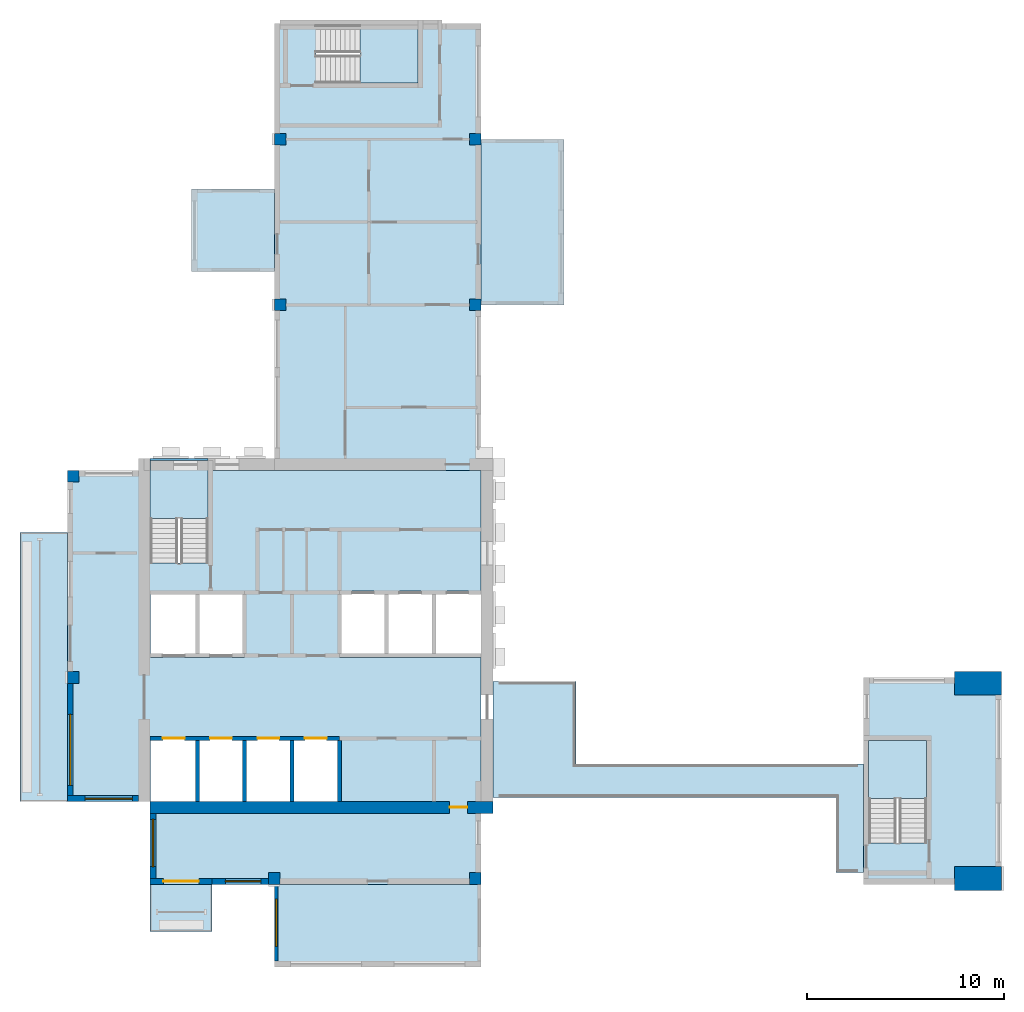
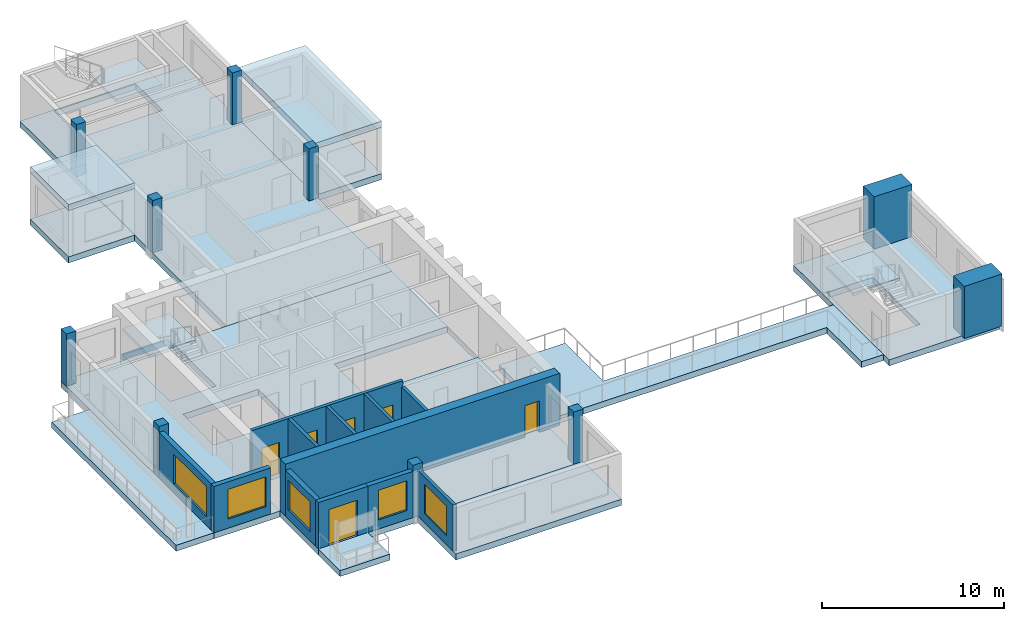
# One storey, part 1 of 9: 15 slabs, 12 walls, 10 columns, 6 doors, 5 windows, 11 openings, 3 elements without a shape of their own.
"""IFC4 building model written with IfcOpenShell, lengths in metres."""

from ifc_helpers import new_model, si_unit, direction, frame, frame_2d, origin, origin_2d, place, context, subcontext, project, spatial, polyline, rectangle, outline, extrude, source, transform, mapped, material, layer, layer_set, material_profile, profile_set, type_object, element, fill, aggregate, save


model = new_model("IFC4")

# Units and contexts
model_context = context("Model", 3, precision=1e-05, world=origin(), true_north=direction((0.0, 1.0)))
body_context = subcontext(model_context, "Body", "Model", "MODEL_VIEW")
ifc_project = project(units=[si_unit("LENGTHUNIT", "METRE"), si_unit("AREAUNIT", "SQUARE_METRE"), si_unit("VOLUMEUNIT", "CUBIC_METRE"), si_unit("PLANEANGLEUNIT", "RADIAN"), si_unit("MASSUNIT", "GRAM", prefix="KILO")], contexts=[model_context])

# Site, building, storey
site_placement = place(None, origin())
site = spatial("IfcSite", under=ifc_project, at=site_placement, CompositionType="ELEMENT")
building_placement = place(site_placement, origin())
building = spatial("IfcBuilding", under=site, at=building_placement, Name="Aurelian Terraces", CompositionType="ELEMENT")
storey_placement = place(building_placement, frame((0.0, 0.0, 333.5)))
storey = spatial("IfcBuildingStorey", under=building, at=storey_placement, Name="L78", CompositionType="ELEMENT", Elevation=333.5)

# Columns
ifc_material_1 = material(Name="Concrete fc' 55 MPa", Category="concrete")
ifc_material_profile_1 = material_profile(ifc_material_1, rectangle(XDim=0.6, YDim=0.6, at=origin_2d()))
ifc_profile_set_1 = profile_set([ifc_material_profile_1], Name="Concrete fc' 55 MPa")
column_type_1 = type_object("IfcColumnType", Name="RC COLUMN 600X600 FC55", PredefinedType="COLUMN", material=ifc_profile_set_1)
shared_shape_1 = source(origin(), body_context, "Body", "SweptSolid", [
    extrude(rectangle(XDim=0.6, YDim=0.6, at=origin_2d()), origin(), (0.0, 0.0, 1.0), 3.5),
])
for number, where, z_axis, x_axis, name in (
    (1, (10.5, 0.3, 0.0), (0.0, 0.0, 1.0), (1.0, 0.0, 0.0), "Column 2/A L78"),
    (2, (20.7, 0.3, 0.0), (0.0, 0.0, 1.0), (1.0, 0.0, 0.0), "Column 3/A L78"),
    (3, (0.3, 10.5, 0.0), (0.0, 0.0, 1.0), (1.0, 0.0, 0.0), "Column 1/B L78"),
    (4, (0.3, 20.7, 0.0), (0.0, 0.0, 1.0), (1.0, 0.0, 0.0), "Column 1/C L78"),
    (5, (10.8, 29.4, 0.0), (0.0, 0.0, 1.0), (1.0, 0.0, 0.0), "Column 2/D L78"),
    (6, (20.7, 29.4, 0.0), (0.0, 0.0, 1.0), (1.0, 0.0, 0.0), "Column 3/D L78"),
    (7, (10.8, 37.8, 0.0), (0.0, 0.0, 1.0), (1.0, 0.0, 0.0), "Column 2/E L78"),
    (8, (20.7, 37.8, 0.0), (0.0, 0.0, 1.0), (1.0, 0.0, 0.0), "Column 3/E L78"),
):
    element("IfcColumn", number, at=place(storey_placement, frame(where, z_axis=z_axis, x_axis=x_axis)), inside=storey, type_object=column_type_1, Name=name, PredefinedType="COLUMN", context=body_context, shape_type="MappedRepresentation", body=[
        mapped(shared_shape_1, transform((0.0, 0.0, 0.0), scale=1.0)),
    ])
ifc_material_profile_2 = material_profile(ifc_material_1, rectangle(XDim=2.4, YDim=1.2, at=origin_2d()))
ifc_profile_set_2 = profile_set([ifc_material_profile_2], Name="Concrete fc' 55 MPa")
column_type_2 = type_object("IfcColumnType", Name="Portal jamb pilaster 2400x1200", PredefinedType="PILASTER", material=ifc_profile_set_2)
shared_shape_2 = source(origin(), body_context, "Body", "SweptSolid", [
    extrude(rectangle(XDim=2.4, YDim=1.2, at=origin_2d()), origin(), (0.0, 0.0, 1.0), 3.5),
])
for number, where, z_axis, x_axis, name in (
    (9, (46.2, 0.3, 0.0), (0.0, 0.0, 1.0), (1.0, 0.0, 0.0), "Column 6/A L78"),
    (10, (46.2, 10.2, 0.0), (0.0, 0.0, 1.0), (1.0, 0.0, 0.0), "Column 6/B L78"),
):
    element("IfcColumn", number, at=place(storey_placement, frame(where, z_axis=z_axis, x_axis=x_axis)), inside=storey, type_object=column_type_2, Name=name, PredefinedType="PILASTER", context=body_context, shape_type="MappedRepresentation", body=[
        mapped(shared_shape_2, transform((0.0, 0.0, 0.0), scale=1.0)),
    ])

# Slabs
ifc_material_2 = material(Name="Concrete fc' 40 MPa", Category="concrete")
ifc_layer_1 = layer(ifc_material_2, 0.41)
ifc_layer_set_1 = layer_set([ifc_layer_1], Name="Box floor 410")
slab_type_1 = type_object("IfcSlabType", Name="Box floor 410", PredefinedType="NOTDEFINED", material=ifc_layer_set_1)
slab_1_placement = place(storey_placement, frame((0.0, 0.0, -0.41)))
element("IfcSlab", 11, at=slab_1_placement, inside=storey, type_object=slab_type_1, Name="Box floor L78 J93", PredefinedType="NOTDEFINED", context=body_context, shape_type="SweptSolid", body=[
    extrude(outline(polyline([(10.5, -4.2), (21.0, -4.2), (21.0, 0.0), (10.5, 0.0), (10.5, -4.2)])), origin(), (0.0, 0.0, 1.0), 0.41),
])
ifc_layer_2 = layer(ifc_material_2, 0.4)
ifc_layer_set_2 = layer_set([ifc_layer_2], Name="Box roof 400")
slab_type_2 = type_object("IfcSlabType", Name="Box roof 400", PredefinedType="ROOF", material=ifc_layer_set_2)
slab_2_placement = place(storey_placement, frame((0.0, 0.0, 3.1)))
element("IfcSlab", 12, at=slab_2_placement, inside=storey, type_object=slab_type_2, Name="Box roof J92", PredefinedType="ROOF", context=body_context, shape_type="SweptSolid", body=[
    extrude(outline(polyline([(6.3, 35.28), (6.3, 31.08), (10.5, 31.08), (10.5, 35.28), (6.3, 35.28)])), origin(), (0.0, 0.0, 1.0), 0.4),
])
ifc_layer_3 = layer(ifc_material_2, 0.4)
ifc_layer_set_3 = layer_set([ifc_layer_3], Name="PT FLAT PLATE 400")
slab_type_3 = type_object("IfcSlabType", Name="PT FLAT PLATE 400", PredefinedType="FLOOR", material=ifc_layer_set_3)
slab_3_placement = place(storey_placement, frame((0.0, 0.0, -0.4)))
element("IfcSlab", 13, at=slab_3_placement, inside=storey, type_object=slab_type_3, Name="Floor slab S L78", PredefinedType="FLOOR", context=body_context, shape_type="SweptSolid", body=[
    extrude(outline(polyline([(0.0, 4.2), (0.0, 10.5), (0.0, 21.0), (4.21, 21.0), (4.21, 16.31), (7.14, 16.31), (7.14, 21.0), (21.0, 21.0), (21.0, 10.5), (21.0, 0.0), (4.2, 0.0), (4.2, 4.2), (0.0, 4.2)]), holes=[polyline([(13.81, 14.89), (13.81, 11.51), (20.99, 11.51), (20.99, 14.89), (13.81, 14.89)]), polyline([(4.21, 7.49), (4.21, 4.21), (13.79, 4.21), (13.79, 7.49), (4.21, 7.49)]), polyline([(8.99, 11.51), (8.99, 14.89), (4.21, 14.89), (4.21, 11.51), (8.99, 11.51)])]), origin(), (0.0, 0.0, 1.0), 0.4),
])
slab_4_placement = place(storey_placement, frame((0.0, 0.0, -0.4)))
element("IfcSlab", 14, at=slab_4_placement, inside=storey, type_object=slab_type_3, Name="Floor slab S2 L78", PredefinedType="FLOOR", context=body_context, shape_type="SweptSolid", body=[
    extrude(outline(polyline([(40.4, 10.5), (47.4, 10.5), (47.4, 0.0), (40.4, 0.0), (40.4, 0.2), (40.4, 7.55), (40.4, 10.5)]), holes=[polyline([(40.66, 2.11), (43.59, 2.11), (43.59, 7.29), (40.66, 7.29), (40.66, 2.11)])]), origin(), (0.0, 0.0, 1.0), 0.4),
])
ifc_layer_4 = layer(ifc_material_2, 0.4001)
ifc_layer_set_4 = layer_set([ifc_layer_4], Name="Terrace slab 400")
slab_type_4 = type_object("IfcSlabType", Name="Terrace slab 400", PredefinedType="NOTDEFINED", material=ifc_layer_set_4)
slab_5_placement = place(storey_placement, frame((0.0, 0.0, -0.4001)))
element("IfcSlab", 15, at=slab_5_placement, inside=storey, type_object=slab_type_4, Name="Sky bridge L78 PORTAL-B78", PredefinedType="NOTDEFINED", context=body_context, shape_type="SweptSolid", body=[
    extrude(outline(polyline([(40.4, 0.6), (39.0, 0.6), (39.0, 4.4), (25.8, 4.4), (21.6, 4.4), (21.6, 6.1), (21.6, 10.3), (25.8, 10.3), (25.8, 6.1), (39.0, 6.1), (40.4, 6.1), (40.4, 4.4), (40.4, 0.6)])), origin(), (0.0, 0.0, 1.0), 0.4001),
])
shared_shape_3 = source(origin(), body_context, "Body", "SweptSolid", [
    extrude(outline(polyline([(10.5, 43.68), (14.7, 43.68), (16.8, 43.68), (21.0, 43.68), (21.0, 21.0), (10.5, 21.0), (10.5, 43.68)]), holes=[polyline([(17.79, 43.59), (12.61, 43.59), (12.61, 40.66), (17.79, 40.66), (17.79, 43.59)])]), origin(), (0.0, 0.0, 1.0), 0.4),
])
slab_6_placement = place(storey_placement, frame((0.0, 0.0, -0.4)))
element("IfcSlab", 16, at=slab_6_placement, inside=storey, type_object=slab_type_3, Name="Floor slab W L78", PredefinedType="FLOOR", context=body_context, shape_type="MappedRepresentation", body=[
    mapped(shared_shape_3, transform((0.0, 0.0, 0.0), scale=1.0)),
])
shared_shape_4 = source(origin(), body_context, "Body", "SweptSolid", [
    extrude(outline(polyline([(4.2, 21.0), (4.2, 21.6), (7.15, 21.6), (7.15, 21.0), (7.14, 21.0), (7.14, 21.49), (4.21, 21.49), (4.21, 21.0), (4.2, 21.0)])), origin(), (0.0, 0.0, 1.0), 0.4),
])
slab_7_placement = place(storey_placement, frame((0.0, 0.0, -0.4)))
element("IfcSlab", 17, at=slab_7_placement, inside=storey, type_object=slab_type_3, Name="Floor slab W2 L78", PredefinedType="FLOOR", context=body_context, shape_type="MappedRepresentation", body=[
    mapped(shared_shape_4, transform((0.0, 0.0, 0.0), scale=1.0)),
])
shared_shape_5 = source(origin(), body_context, "Body", "SweptSolid", [
    extrude(outline(polyline([(25.2, 29.4), (25.2, 37.8), (21.0, 37.8), (21.0, 29.4), (25.2, 29.4)])), origin(), (0.0, 0.0, 1.0), 0.41),
])
slab_8_placement = place(storey_placement, frame((0.0, 0.0, -0.41)))
element("IfcSlab", 18, at=slab_8_placement, inside=storey, type_object=slab_type_1, Name="Box floor L78 J91", PredefinedType="NOTDEFINED", context=body_context, shape_type="MappedRepresentation", body=[
    mapped(shared_shape_5, transform((0.0, 0.0, 0.0), scale=1.0)),
])
shared_shape_6 = source(origin(), body_context, "Body", "SweptSolid", [
    extrude(outline(polyline([(25.2, 29.4), (25.2, 37.8), (21.0, 37.8), (21.0, 29.4), (25.2, 29.4)])), origin(), (0.0, 0.0, 1.0), 0.4),
])
slab_9_placement = place(storey_placement, frame((0.0, 0.0, 3.1)))
element("IfcSlab", 19, at=slab_9_placement, inside=storey, type_object=slab_type_2, Name="Box roof J91", PredefinedType="ROOF", context=body_context, shape_type="MappedRepresentation", body=[
    mapped(shared_shape_6, transform((0.0, 0.0, 0.0), scale=1.0)),
])
ifc_layer_5 = layer(ifc_material_2, 0.4)
ifc_layer_set_5 = layer_set([ifc_layer_5], Name="Balcony slab 400")
slab_type_5 = type_object("IfcSlabType", Name="Balcony slab 400", PredefinedType="NOTDEFINED", material=ifc_layer_set_5)
shared_shape_7 = source(origin(), body_context, "Body", "SweptSolid", [
    extrude(outline(polyline([(0.0, 17.85), (0.0, 4.2), (-2.4, 4.2), (-2.4, 17.85), (0.0, 17.85)])), origin(), (0.0, 0.0, 1.0), 0.4),
])
slab_10_placement = place(storey_placement, frame((0.0, 0.0, -0.4)))
element("IfcSlab", 20, at=slab_10_placement, inside=storey, type_object=slab_type_5, Name="Balcony slab L78 F10.18", PredefinedType="NOTDEFINED", context=body_context, shape_type="MappedRepresentation", body=[
    mapped(shared_shape_7, transform((0.0, 0.0, 0.0), scale=1.0)),
])
shared_shape_8 = source(origin(), body_context, "Body", "SweptSolid", [
    extrude(outline(polyline([(4.2, 0.0), (7.35, 0.0), (7.35, -2.4), (4.2, -2.4), (4.2, 0.0)])), origin(), (0.0, 0.0, 1.0), 0.4),
])
slab_11_placement = place(storey_placement, frame((0.0, 0.0, -0.4)))
element("IfcSlab", 21, at=slab_11_placement, inside=storey, type_object=slab_type_5, Name="Balcony slab L78 F01.1", PredefinedType="NOTDEFINED", context=body_context, shape_type="MappedRepresentation", body=[
    mapped(shared_shape_8, transform((0.0, 0.0, 0.0), scale=1.0)),
])
shared_shape_9 = source(origin(), body_context, "Body", "SweptSolid", [
    extrude(outline(polyline([(6.3, 35.28), (6.3, 31.08), (10.5, 31.08), (10.5, 35.28), (6.3, 35.28)])), origin(), (0.0, 0.0, 1.0), 0.41),
])
slab_12_placement = place(storey_placement, frame((0.0, 0.0, -0.41)))
element("IfcSlab", 22, at=slab_12_placement, inside=storey, type_object=slab_type_1, Name="Box floor L78 J92", PredefinedType="NOTDEFINED", context=body_context, shape_type="MappedRepresentation", body=[
    mapped(shared_shape_9, transform((0.0, 0.0, 0.0), scale=1.0)),
])

# Stair, slab
stair_type = type_object("IfcStairType", Name="Stair 1400", PredefinedType="HALF_TURN_STAIR", material=ifc_material_2)
stair_1_placement = place(storey_placement, origin())
stair_1 = element("IfcStair", 23, at=stair_1_placement, inside=storey, type_object=stair_type, Name="L78 S1", PredefinedType="HALF_TURN_STAIR")
ifc_layer_6 = layer(ifc_material_2, 0.2)
ifc_layer_set_6 = layer_set([ifc_layer_6], Name="Stair landing 200")
slab_type_6 = type_object("IfcSlabType", Name="Stair landing 200", PredefinedType="LANDING", material=ifc_layer_set_6)
shared_shape_10 = source(origin(), body_context, "Body", "SweptSolid", [
    extrude(outline(polyline([(7.15, 18.55), (7.15, 21.5), (4.2, 21.5), (4.2, 18.55), (7.15, 18.55)])), origin(), (0.0, 0.0, 1.0), 0.2),
])
slab_13_placement = place(storey_placement, frame((0.0, 0.0, 1.55)))
slab_13 = element("IfcSlab", 24, at=slab_13_placement, type_object=slab_type_6, Name="S1 landing 1", PredefinedType="LANDING", context=body_context, shape_type="MappedRepresentation", body=[
    mapped(shared_shape_10, transform((0.0, 0.0, 0.0), scale=1.0)),
])
aggregate(stair_1, [slab_13])

stair_2_placement = place(storey_placement, origin())
stair_2 = element("IfcStair", 25, at=stair_2_placement, inside=storey, type_object=stair_type, Name="L78 S2", PredefinedType="HALF_TURN_STAIR")
shared_shape_11 = source(origin(), body_context, "Body", "SweptSolid", [
    extrude(outline(polyline([(43.6, 4.35), (43.6, 7.3), (40.65, 7.3), (40.65, 4.35), (43.6, 4.35)])), origin(), (0.0, 0.0, 1.0), 0.2),
])
slab_14_placement = place(storey_placement, frame((0.0, 0.0, 1.55)))
slab_14 = element("IfcSlab", 26, at=slab_14_placement, type_object=slab_type_6, Name="S2 landing 1", PredefinedType="LANDING", context=body_context, shape_type="MappedRepresentation", body=[
    mapped(shared_shape_11, transform((0.0, 0.0, 0.0), scale=1.0)),
])
aggregate(stair_2, [slab_14])

stair_3_placement = place(storey_placement, origin())
stair_3 = element("IfcStair", 27, at=stair_3_placement, inside=storey, type_object=stair_type, Name="L78 S3U", PredefinedType="HALF_TURN_STAIR")
shared_shape_12 = source(origin(), body_context, "Body", "SweptSolid", [
    extrude(outline(polyline([(14.85, 40.65), (17.8, 40.65), (17.8, 43.6), (14.85, 43.6), (14.85, 40.65)])), origin(), (0.0, 0.0, 1.0), 0.2),
])
slab_15_placement = place(storey_placement, frame((0.0, 0.0, 1.55)))
slab_15 = element("IfcSlab", 28, at=slab_15_placement, type_object=slab_type_6, Name="S3U landing 1", PredefinedType="LANDING", context=body_context, shape_type="MappedRepresentation", body=[
    mapped(shared_shape_12, transform((0.0, 0.0, 0.0), scale=1.0)),
])
aggregate(stair_3, [slab_15])

# Wall, opening, window
ifc_material_3 = material(Name="Terracotta rainscreen cladding", Category="masonry")
ifc_layer_7 = layer(ifc_material_3, 0.3)
ifc_layer_set_7 = layer_set([ifc_layer_7], Name="EW-300")
wall_type_1 = type_object("IfcWallType", Name="EW-300", PredefinedType="STANDARD", material=ifc_layer_set_7)
wall_1_placement = place(storey_placement, frame((7.35, 0.15, 0.0), z_axis=(0.0, 0.0, 1.0), x_axis=(1.0, 0.0, 0.0)))
wall_1 = element("IfcWall", 29, at=wall_1_placement, inside=storey, type_object=wall_type_1, Name="External wall L78 F01.2", PredefinedType="STANDARD", context=body_context, shape_type="SweptSolid", body=[
    extrude(rectangle(XDim=2.85, YDim=0.3, at=frame_2d((1.425, 0.0))), origin(), (0.0, 0.0, 1.0), 3.1),
])
shared_shape_13 = source(origin(), body_context, "Body", "SweptSolid", [
    extrude(rectangle(XDim=1.8, YDim=2.0, at=frame_2d((0.9, 1.0))), frame((0.0, 0.16, 0.0), z_axis=(0.0, -1.0, 0.0), x_axis=(1.0, 0.0, 0.0)), (0.0, 0.0, 1.0), 0.32),
])
opening_1_placement = place(wall_1_placement, frame((0.675, 0.0, 0.6)))
opening_1 = element("IfcOpeningElement", 30, at=opening_1_placement, cuts=wall_1, Name="Opening W1820", PredefinedType="OPENING", context=body_context, shape_type="MappedRepresentation", body=[
    mapped(shared_shape_13, transform((0.0, 0.0, 0.0), scale=1.0)),
])
ifc_material_4 = material(Name="Clear glazing", Category="glass")
window_type_1 = type_object("IfcWindowType", Name="W-1800x2000", PartitioningType="SINGLE_PANEL", PredefinedType="WINDOW", material=ifc_material_4)
shared_shape_14 = source(origin(), body_context, "Body", "SweptSolid", [
    extrude(rectangle(XDim=1.8, YDim=2.0, at=frame_2d((0.9, 1.0))), frame((0.0, 0.03, 0.0), z_axis=(0.0, -1.0, 0.0), x_axis=(1.0, 0.0, 0.0)), (0.0, 0.0, 1.0), 0.06),
])
window_1_placement = place(opening_1_placement, origin())
window_1 = element("IfcWindow", 31, at=window_1_placement, inside=storey, type_object=window_type_1, Name="Window L78 L78-F01-02-0", OverallHeight=2.0, OverallWidth=1.8, PartitioningType="SINGLE_PANEL", PredefinedType="WINDOW", context=body_context, shape_type="MappedRepresentation", body=[
    mapped(shared_shape_14, transform((0.0, 0.0, 0.0), scale=1.0)),
])
fill(opening_1, window_1)

# Wall, opening, door
ifc_layer_8 = layer(ifc_material_1, 0.6)
ifc_layer_set_8 = layer_set([ifc_layer_8], Name="CORE WALL 600 FC55")
wall_type_2 = type_object("IfcWallType", Name="CORE WALL 600 FC55", PredefinedType="SHEAR", material=ifc_layer_set_8)
shared_shape_15 = source(origin(), body_context, "Body", "SweptSolid", [
    extrude(rectangle(XDim=17.4, YDim=0.6, at=frame_2d((8.7, 0.0))), origin(), (0.0, 0.0, 1.0), 3.5),
])
wall_2_placement = place(storey_placement, frame((4.2, 3.9, 0.0), z_axis=(0.0, 0.0, 1.0), x_axis=(1.0, 0.0, 0.0)))
wall_2 = element("IfcWall", 32, at=wall_2_placement, inside=storey, type_object=wall_type_2, Name="Core wall S L78", PredefinedType="SHEAR", context=body_context, shape_type="MappedRepresentation", body=[
    mapped(shared_shape_15, transform((0.0, 0.0, 0.0), scale=1.0)),
])
shared_shape_16 = source(origin(), body_context, "Body", "SweptSolid", [
    extrude(rectangle(XDim=0.9, YDim=2.1, at=frame_2d((0.45, 1.05))), frame((0.0, 0.31, 0.0), z_axis=(0.0, -1.0, 0.0), x_axis=(1.0, 0.0, 0.0)), (0.0, 0.0, 1.0), 0.62),
])
opening_2_placement = place(wall_2_placement, frame((15.2, 0.0, 0.0)))
opening_2 = element("IfcOpeningElement", 33, at=opening_2_placement, cuts=wall_2, Name="Opening 68127", PredefinedType="OPENING", context=body_context, shape_type="MappedRepresentation", body=[
    mapped(shared_shape_16, transform((0.0, 0.0, 0.0), scale=1.0)),
])
ifc_material_5 = material(Name="Steel door leaf", Category="steel")
door_type_1 = type_object("IfcDoorType", Name="Core service door 900x2100", OperationType="SINGLE_SWING_LEFT", PredefinedType="DOOR", material=ifc_material_5)
shared_shape_17 = source(origin(), body_context, "Body", "SweptSolid", [
    extrude(rectangle(XDim=0.9, YDim=2.1, at=frame_2d((0.45, 1.05))), frame((0.0, 0.025, 0.0), z_axis=(0.0, -1.0, 0.0), x_axis=(1.0, 0.0, 0.0)), (0.0, 0.0, 1.0), 0.05),
])
door_1_placement = place(opening_2_placement, origin())
door_1 = element("IfcDoor", 34, at=door_1_placement, inside=storey, type_object=door_type_1, Name="Core door 68127", OperationType="SINGLE_SWING_LEFT", OverallHeight=2.1, OverallWidth=0.9, PredefinedType="DOOR", context=body_context, shape_type="MappedRepresentation", body=[
    mapped(shared_shape_17, transform((0.0, 0.0, 0.0), scale=1.0)),
])
fill(opening_2, door_1)

# Wall, opening, window
shared_shape_18 = source(origin(), body_context, "Body", "SweptSolid", [
    extrude(rectangle(XDim=3.6, YDim=0.3, at=frame_2d((1.8, 0.0))), origin(), (0.0, 0.0, 1.0), 3.1),
])
wall_3_placement = place(storey_placement, frame((0.0, 4.35, 0.0), z_axis=(0.0, 0.0, 1.0), x_axis=(1.0, 0.0, 0.0)))
wall_3 = element("IfcWall", 35, at=wall_3_placement, inside=storey, type_object=wall_type_1, Name="External wall L78 F11.19", PredefinedType="STANDARD", context=body_context, shape_type="MappedRepresentation", body=[
    mapped(shared_shape_18, transform((0.0, 0.0, 0.0), scale=1.0)),
])
shared_shape_19 = source(origin(), body_context, "Body", "SweptSolid", [
    extrude(rectangle(XDim=2.4, YDim=2.0, at=frame_2d((1.2, 1.0))), frame((0.0, 0.16, 0.0), z_axis=(0.0, -1.0, 0.0), x_axis=(1.0, 0.0, 0.0)), (0.0, 0.0, 1.0), 0.32),
])
opening_3_placement = place(wall_3_placement, frame((0.9, 0.0, 0.6)))
opening_3 = element("IfcOpeningElement", 36, at=opening_3_placement, cuts=wall_3, Name="Opening W2420", PredefinedType="OPENING", context=body_context, shape_type="MappedRepresentation", body=[
    mapped(shared_shape_19, transform((0.0, 0.0, 0.0), scale=1.0)),
])
window_type_2 = type_object("IfcWindowType", Name="W-2400x2000", PartitioningType="SINGLE_PANEL", PredefinedType="WINDOW", material=ifc_material_4)
shared_shape_20 = source(origin(), body_context, "Body", "SweptSolid", [
    extrude(rectangle(XDim=2.4, YDim=2.0, at=frame_2d((1.2, 1.0))), frame((0.0, 0.03, 0.0), z_axis=(0.0, -1.0, 0.0), x_axis=(1.0, 0.0, 0.0)), (0.0, 0.0, 1.0), 0.06),
])
window_2_placement = place(opening_3_placement, origin())
window_2 = element("IfcWindow", 37, at=window_2_placement, inside=storey, type_object=window_type_2, Name="Window L78 L78-F11-19-0", OverallHeight=2.0, OverallWidth=2.4, PartitioningType="SINGLE_PANEL", PredefinedType="WINDOW", context=body_context, shape_type="MappedRepresentation", body=[
    mapped(shared_shape_20, transform((0.0, 0.0, 0.0), scale=1.0)),
])
fill(opening_3, window_2)

wall_4_placement = place(storey_placement, frame((4.35, 3.6, 0.0), z_axis=(0.0, 0.0, 1.0), x_axis=(0.0, -1.0, 0.0)))
wall_4 = element("IfcWall", 38, at=wall_4_placement, inside=storey, type_object=wall_type_1, Name="External wall L78 F12.20", PredefinedType="STANDARD", context=body_context, shape_type="MappedRepresentation", body=[
    mapped(shared_shape_18, transform((0.0, 0.0, 0.0), scale=1.0)),
])
opening_4_placement = place(wall_4_placement, frame((0.3, 0.0, 0.6)))
opening_4 = element("IfcOpeningElement", 39, at=opening_4_placement, cuts=wall_4, Name="Opening W2420", PredefinedType="OPENING", context=body_context, shape_type="MappedRepresentation", body=[
    mapped(shared_shape_19, transform((0.0, 0.0, 0.0), scale=1.0)),
])
window_3_placement = place(opening_4_placement, origin())
window_3 = element("IfcWindow", 40, at=window_3_placement, inside=storey, type_object=window_type_2, Name="Window L78 L78-F12-20-0", OverallHeight=2.0, OverallWidth=2.4, PartitioningType="SINGLE_PANEL", PredefinedType="WINDOW", context=body_context, shape_type="MappedRepresentation", body=[
    mapped(shared_shape_20, transform((0.0, 0.0, 0.0), scale=1.0)),
])
fill(opening_4, window_3)

ifc_layer_9 = layer(ifc_material_2, 0.2)
ifc_layer_set_9 = layer_set([ifc_layer_9], Name="BOX BEARING WALL 200")
wall_type_3 = type_object("IfcWallType", Name="BOX BEARING WALL 200", PredefinedType="SOLIDWALL", material=ifc_layer_set_9)
shared_shape_21 = source(origin(), body_context, "Body", "SweptSolid", [
    extrude(rectangle(XDim=3.9, YDim=0.2, at=frame_2d((1.95, 0.0))), origin(), (0.0, 0.0, 1.0), 3.09),
])
wall_5_placement = place(storey_placement, frame((10.6, 0.0, 0.0), z_axis=(0.0, 0.0, 1.0), x_axis=(0.0, -1.0, 0.0)))
wall_5 = element("IfcWall", 41, at=wall_5_placement, inside=storey, type_object=wall_type_3, Name="Box return L78 J93.1", PredefinedType="SOLIDWALL", context=body_context, shape_type="MappedRepresentation", body=[
    mapped(shared_shape_21, transform((0.0, 0.0, 0.0), scale=1.0)),
])
shared_shape_22 = source(origin(), body_context, "Body", "SweptSolid", [
    extrude(rectangle(XDim=2.4, YDim=2.0, at=frame_2d((1.2, 1.0))), frame((0.0, 0.11, 0.0), z_axis=(0.0, -1.0, 0.0), x_axis=(1.0, 0.0, 0.0)), (0.0, 0.0, 1.0), 0.22),
])
opening_5_placement = place(wall_5_placement, frame((0.75, 0.0, 0.6)))
opening_5 = element("IfcOpeningElement", 42, at=opening_5_placement, cuts=wall_5, Name="Opening W2420", PredefinedType="OPENING", context=body_context, shape_type="MappedRepresentation", body=[
    mapped(shared_shape_22, transform((0.0, 0.0, 0.0), scale=1.0)),
])
window_4_placement = place(opening_5_placement, origin())
window_4 = element("IfcWindow", 43, at=window_4_placement, inside=storey, type_object=window_type_2, Name="Window L78 J93-S1", OverallHeight=2.0, OverallWidth=2.4, PartitioningType="SINGLE_PANEL", PredefinedType="WINDOW", context=body_context, shape_type="MappedRepresentation", body=[
    mapped(shared_shape_20, transform((0.0, 0.0, 0.0), scale=1.0)),
])
fill(opening_5, window_4)

# Wall, opening, door
shared_shape_23 = source(origin(), body_context, "Body", "SweptSolid", [
    extrude(rectangle(XDim=3.15, YDim=0.3, at=frame_2d((1.575, 0.0))), origin(), (0.0, 0.0, 1.0), 3.1),
])
wall_6_placement = place(storey_placement, frame((4.2, 0.15, 0.0), z_axis=(0.0, 0.0, 1.0), x_axis=(1.0, 0.0, 0.0)))
wall_6 = element("IfcWall", 44, at=wall_6_placement, inside=storey, type_object=wall_type_1, Name="External wall L78 F01.1", PredefinedType="STANDARD", context=body_context, shape_type="MappedRepresentation", body=[
    mapped(shared_shape_23, transform((0.0, 0.0, 0.0), scale=1.0)),
])
shared_shape_24 = source(origin(), body_context, "Body", "SweptSolid", [
    extrude(rectangle(XDim=1.8, YDim=2.4, at=frame_2d((0.9, 1.2))), frame((0.0, 0.16, 0.0), z_axis=(0.0, -1.0, 0.0), x_axis=(1.0, 0.0, 0.0)), (0.0, 0.0, 1.0), 0.32),
])
opening_6_placement = place(wall_6_placement, frame((0.675, 0.0, 0.0)))
opening_6 = element("IfcOpeningElement", 45, at=opening_6_placement, cuts=wall_6, Name="Opening 87801", PredefinedType="OPENING", context=body_context, shape_type="MappedRepresentation", body=[
    mapped(shared_shape_24, transform((0.0, 0.0, 0.0), scale=1.0)),
])
door_type_2 = type_object("IfcDoorType", Name="BD-1800x2400", OperationType="SLIDING_TO_LEFT", PredefinedType="DOOR", material=ifc_material_4)
shared_shape_25 = source(origin(), body_context, "Body", "SweptSolid", [
    extrude(rectangle(XDim=1.8, YDim=2.4, at=frame_2d((0.9, 1.2))), frame((0.0, 0.025, 0.0), z_axis=(0.0, -1.0, 0.0), x_axis=(1.0, 0.0, 0.0)), (0.0, 0.0, 1.0), 0.05),
])
door_2_placement = place(opening_6_placement, origin())
door_2 = element("IfcDoor", 46, at=door_2_placement, inside=storey, type_object=door_type_2, Name="Balcony door L78 F01.1", OperationType="SLIDING_TO_LEFT", OverallHeight=2.4, OverallWidth=1.8, PredefinedType="DOOR", context=body_context, shape_type="MappedRepresentation", body=[
    mapped(shared_shape_25, transform((0.0, 0.0, 0.0), scale=1.0)),
])
fill(opening_6, door_2)

# Wall, opening, window
shared_shape_26 = source(origin(), body_context, "Body", "SweptSolid", [
    extrude(rectangle(XDim=6.0, YDim=0.3, at=frame_2d((3.0, 0.0))), origin(), (0.0, 0.0, 1.0), 3.1),
])
wall_7_placement = place(storey_placement, frame((0.15, 10.2, 0.0), z_axis=(0.0, 0.0, 1.0), x_axis=(0.0, -1.0, 0.0)))
wall_7 = element("IfcWall", 47, at=wall_7_placement, inside=storey, type_object=wall_type_1, Name="External wall L78 F10.18", PredefinedType="STANDARD", context=body_context, shape_type="MappedRepresentation", body=[
    mapped(shared_shape_26, transform((0.0, 0.0, 0.0), scale=1.0)),
])
shared_shape_27 = source(origin(), body_context, "Body", "SweptSolid", [
    extrude(rectangle(XDim=3.6, YDim=2.0, at=frame_2d((1.8, 1.0))), frame((0.0, 0.16, 0.0), z_axis=(0.0, -1.0, 0.0), x_axis=(1.0, 0.0, 0.0)), (0.0, 0.0, 1.0), 0.32),
])
opening_7_placement = place(wall_7_placement, frame((1.575, 0.0, 0.6)))
opening_7 = element("IfcOpeningElement", 48, at=opening_7_placement, cuts=wall_7, Name="Opening W3620", PredefinedType="OPENING", context=body_context, shape_type="MappedRepresentation", body=[
    mapped(shared_shape_27, transform((0.0, 0.0, 0.0), scale=1.0)),
])
window_type_3 = type_object("IfcWindowType", Name="W-3600x2000", PartitioningType="SINGLE_PANEL", PredefinedType="WINDOW", material=ifc_material_4)
shared_shape_28 = source(origin(), body_context, "Body", "SweptSolid", [
    extrude(rectangle(XDim=3.6, YDim=2.0, at=frame_2d((1.8, 1.0))), frame((0.0, 0.03, 0.0), z_axis=(0.0, -1.0, 0.0), x_axis=(1.0, 0.0, 0.0)), (0.0, 0.0, 1.0), 0.06),
])
window_5_placement = place(opening_7_placement, origin())
window_5 = element("IfcWindow", 49, at=window_5_placement, inside=storey, type_object=window_type_3, Name="Window L78 L78-F10-18-2", OverallHeight=2.0, OverallWidth=3.6, PartitioningType="SINGLE_PANEL", PredefinedType="WINDOW", context=body_context, shape_type="MappedRepresentation", body=[
    mapped(shared_shape_28, transform((0.0, 0.0, 0.0), scale=1.0)),
])
fill(opening_7, window_5)

# Walls
ifc_layer_10 = layer(ifc_material_2, 0.2)
ifc_layer_set_10 = layer_set([ifc_layer_10], Name="Lift shaft wall 200")
wall_type_4 = type_object("IfcWallType", Name="Lift shaft wall 200", PredefinedType="SOLIDWALL", material=ifc_layer_set_10)
shared_shape_29 = source(origin(), body_context, "Body", "SweptSolid", [
    extrude(rectangle(XDim=3.1, YDim=0.2, at=frame_2d((1.55, 0.0))), origin(), (0.0, 0.0, 1.0), 3.5),
])
for number, where, z_axis, x_axis, name in (
    (50, (6.6, 4.2, 0.0), (0.0, 0.0, 1.0), (0.0, 1.0, 0.0), "L78 core wall CD-A1"),
    (51, (9.0, 4.2, 0.0), (0.0, 0.0, 1.0), (0.0, 1.0, 0.0), "L78 core wall CD-A2"),
    (52, (11.4, 4.2, 0.0), (0.0, 0.0, 1.0), (0.0, 1.0, 0.0), "L78 core wall CD-A3"),
):
    element("IfcWall", number, at=place(storey_placement, frame(where, z_axis=z_axis, x_axis=x_axis)), inside=storey, type_object=wall_type_4, Name=name, PredefinedType="SOLIDWALL", context=body_context, shape_type="MappedRepresentation", body=[
        mapped(shared_shape_29, transform((0.0, 0.0, 0.0), scale=1.0)),
    ])
shared_shape_30 = source(origin(), body_context, "Body", "SweptSolid", [
    extrude(rectangle(XDim=3.1, YDim=0.2, at=frame_2d((1.55, 0.0))), origin(), (0.0, 0.0, 1.0), 3.1),
])
wall_8_placement = place(storey_placement, frame((13.8, 4.2, 0.0), z_axis=(0.0, 0.0, 1.0), x_axis=(0.0, 1.0, 0.0)))
element("IfcWall", 53, at=wall_8_placement, inside=storey, type_object=wall_type_4, Name="L78 core wall CD-A4", PredefinedType="SOLIDWALL", context=body_context, shape_type="MappedRepresentation", body=[
    mapped(shared_shape_30, transform((0.0, 0.0, 0.0), scale=1.0)),
])

# Wall, openings, doors
shared_shape_31 = source(origin(), body_context, "Body", "SweptSolid", [
    extrude(rectangle(XDim=9.6, YDim=0.2, at=frame_2d((4.8, 0.0))), origin(), (0.0, 0.0, 1.0), 3.5),
])
wall_9_placement = place(storey_placement, frame((4.2, 7.4, 0.0), z_axis=(0.0, 0.0, 1.0), x_axis=(1.0, 0.0, 0.0)))
wall_9 = element("IfcWall", 54, at=wall_9_placement, inside=storey, type_object=wall_type_4, Name="L78 core wall CF-AF1", PredefinedType="SOLIDWALL", context=body_context, shape_type="MappedRepresentation", body=[
    mapped(shared_shape_31, transform((0.0, 0.0, 0.0), scale=1.0)),
])
shared_shape_32 = source(origin(), body_context, "Body", "SweptSolid", [
    extrude(rectangle(XDim=1.1, YDim=2.1, at=frame_2d((0.55, 1.05))), frame((0.0, 0.11, 0.0), z_axis=(0.0, -1.0, 0.0), x_axis=(1.0, 0.0, 0.0)), (0.0, 0.0, 1.0), 0.22),
])
opening_8_placement = place(wall_9_placement, frame((0.65, 0.0, 0.0)))
opening_8 = element("IfcOpeningElement", 55, at=opening_8_placement, cuts=wall_9, Name="Opening 68100", PredefinedType="OPENING", context=body_context, shape_type="MappedRepresentation", body=[
    mapped(shared_shape_32, transform((0.0, 0.0, 0.0), scale=1.0)),
])
opening_9_placement = place(wall_9_placement, frame((3.05, 0.0, 0.0)))
opening_9 = element("IfcOpeningElement", 56, at=opening_9_placement, cuts=wall_9, Name="Opening 68101", PredefinedType="OPENING", context=body_context, shape_type="MappedRepresentation", body=[
    mapped(shared_shape_32, transform((0.0, 0.0, 0.0), scale=1.0)),
])
opening_10_placement = place(wall_9_placement, frame((5.45, 0.0, 0.0)))
opening_10 = element("IfcOpeningElement", 57, at=opening_10_placement, cuts=wall_9, Name="Opening 68102", PredefinedType="OPENING", context=body_context, shape_type="MappedRepresentation", body=[
    mapped(shared_shape_32, transform((0.0, 0.0, 0.0), scale=1.0)),
])
opening_11_placement = place(wall_9_placement, frame((7.85, 0.0, 0.0)))
opening_11 = element("IfcOpeningElement", 58, at=opening_11_placement, cuts=wall_9, Name="Opening 68103", PredefinedType="OPENING", context=body_context, shape_type="MappedRepresentation", body=[
    mapped(shared_shape_32, transform((0.0, 0.0, 0.0), scale=1.0)),
])
ifc_material_6 = material(Name="Stainless steel", Category="steel")
door_type_3 = type_object("IfcDoorType", Name="Lift landing door 1100x2100", OperationType="SLIDING_TO_LEFT", PredefinedType="DOOR", material=ifc_material_6)
shared_shape_33 = source(origin(), body_context, "Body", "SweptSolid", [
    extrude(rectangle(XDim=1.1, YDim=2.1, at=frame_2d((0.55, 1.05))), frame((0.0, 0.025, 0.0), z_axis=(0.0, -1.0, 0.0), x_axis=(1.0, 0.0, 0.0)), (0.0, 0.0, 1.0), 0.05),
])
door_3_placement = place(opening_8_placement, origin())
door_3 = element("IfcDoor", 59, at=door_3_placement, inside=storey, type_object=door_type_3, Name="Lift landing door LH1 L78", OperationType="SLIDING_TO_LEFT", OverallHeight=2.1, OverallWidth=1.1, PredefinedType="DOOR", context=body_context, shape_type="MappedRepresentation", body=[
    mapped(shared_shape_33, transform((0.0, 0.0, 0.0), scale=1.0)),
])
fill(opening_8, door_3)
door_4_placement = place(opening_9_placement, origin())
door_4 = element("IfcDoor", 60, at=door_4_placement, inside=storey, type_object=door_type_3, Name="Lift landing door LH2 L78", OperationType="SLIDING_TO_LEFT", OverallHeight=2.1, OverallWidth=1.1, PredefinedType="DOOR", context=body_context, shape_type="MappedRepresentation", body=[
    mapped(shared_shape_33, transform((0.0, 0.0, 0.0), scale=1.0)),
])
fill(opening_9, door_4)
door_5_placement = place(opening_10_placement, origin())
door_5 = element("IfcDoor", 61, at=door_5_placement, inside=storey, type_object=door_type_3, Name="Lift landing door LH3 L78", OperationType="SLIDING_TO_LEFT", OverallHeight=2.1, OverallWidth=1.1, PredefinedType="DOOR", context=body_context, shape_type="MappedRepresentation", body=[
    mapped(shared_shape_33, transform((0.0, 0.0, 0.0), scale=1.0)),
])
fill(opening_10, door_5)
door_6_placement = place(opening_11_placement, origin())
door_6 = element("IfcDoor", 62, at=door_6_placement, inside=storey, type_object=door_type_3, Name="Lift landing door LH4 L78", OperationType="SLIDING_TO_LEFT", OverallHeight=2.1, OverallWidth=1.1, PredefinedType="DOOR", context=body_context, shape_type="MappedRepresentation", body=[
    mapped(shared_shape_33, transform((0.0, 0.0, 0.0), scale=1.0)),
])
fill(opening_11, door_6)

save(model, "model.ifc")
